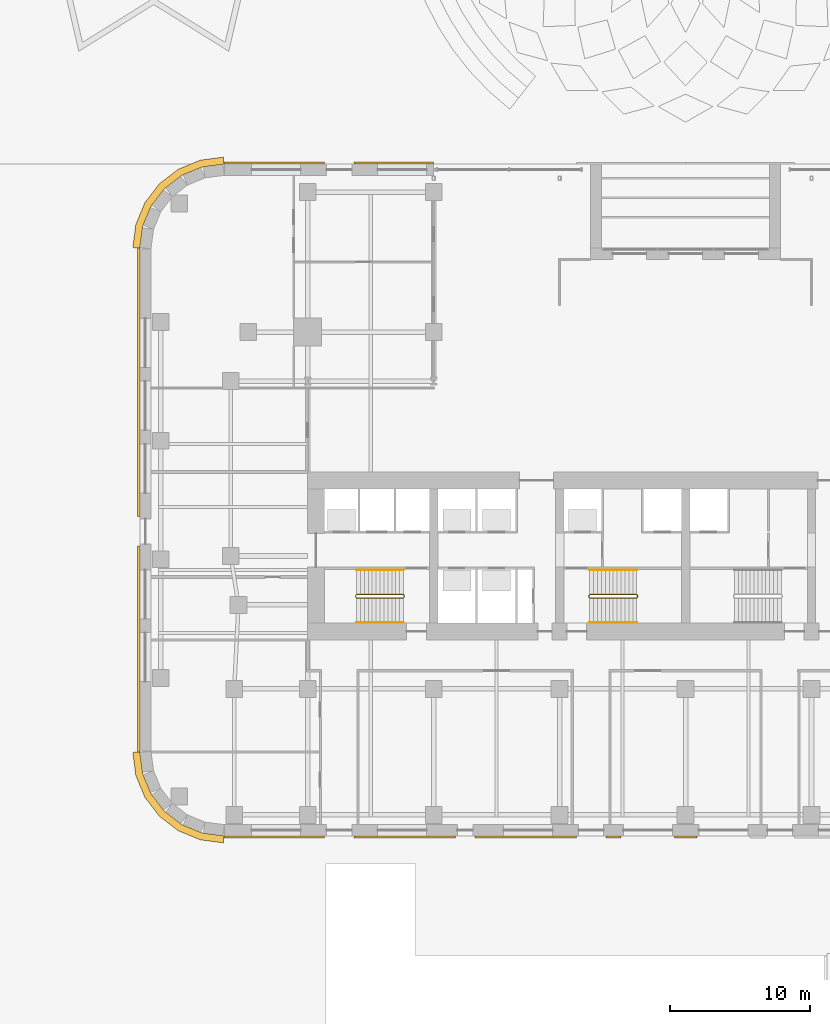
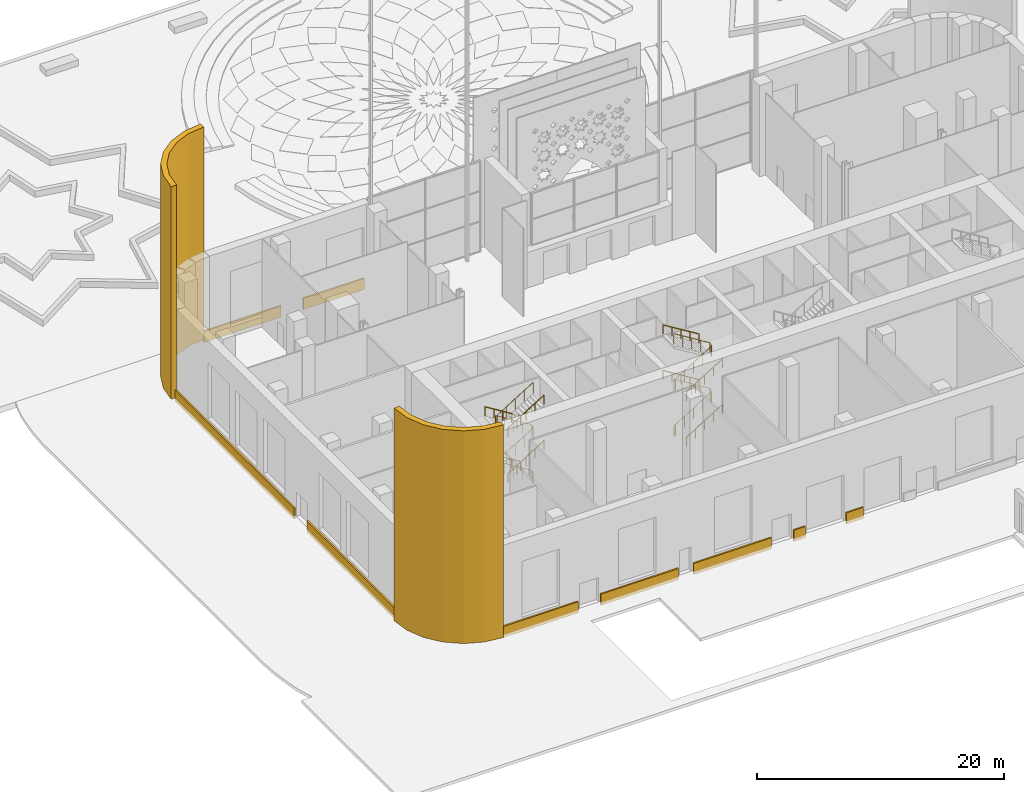
# One storey, part 16 of 23: 11 coverings, 10 railings.
"""IFC4 building model written with IfcOpenShell, lengths in metres."""

import ifcopenshell
import ifcopenshell.guid

model = None  # the IFC model being written
_history = None  # IfcOwnerHistory: only IFC2X3 demands one
_inside = {}  # id of a spatial element -> (the spatial element, [elements in it])
_under = {}  # id of a project, library or spatial element -> (it, [spatial elements below it])
_declared = {}  # id of a project -> (the project, [libraries it declares])
_typed = {}  # id of a type object -> (the type object, [elements of that type])
_made_of = {}  # id of a material, layer set ... -> (it, [elements and type objects made of it])


def new_model(schema):
    """Start an empty IFC model of exactly this schema.

    Asked for "IFC4X3", IfcOpenShell would pick the latest addendum, in which some entities
    have other attributes; the version numbers below select the first issue.
    IFC2X3 requires an IfcOwnerHistory on every rooted entity: one is made here for all.
    """
    global model, _history
    if schema == "IFC4X3":
        model = ifcopenshell.file(schema_version=(4, 3, 0, 0))
    else:
        model = ifcopenshell.file(schema=schema)
    _inside.clear()
    _under.clear()
    _declared.clear()
    _typed.clear()
    _made_of.clear()
    _history = None
    if model.schema == "IFC2X3":
        org = make("IfcOrganization", Name="unknown")
        user = make(
            "IfcPersonAndOrganization",
            ThePerson=make("IfcPerson", FamilyName="unknown"),
            TheOrganization=org,
        )
        app = make(
            "IfcApplication",
            ApplicationDeveloper=org,
            Version="unknown",
            ApplicationFullName="unknown",
            ApplicationIdentifier="unknown",
        )
        _history = make(
            "IfcOwnerHistory",
            OwningUser=user,
            OwningApplication=app,
            ChangeAction="ADDED",
            CreationDate=0,
        )
    return model


def make(cls, **values):
    """One entity of the class cls with the attributes given. An attribute that is None is left unset."""
    return model.create_entity(
        cls, **{name: value for name, value in values.items() if value is not None}
    )


def rooted(cls, **values):
    """An entity with a GlobalId (a new one), such as an element, a storey or a relation."""
    return make(cls, GlobalId=ifcopenshell.guid.new(), OwnerHistory=_history, **values)


def si_unit(unit_type, name, prefix=None):
    """IfcSIUnit, for example si_unit("LENGTHUNIT", "METRE", prefix="MILLI")."""
    return make("IfcSIUnit", UnitType=unit_type, Prefix=prefix, Name=name)


def assignment(units):
    """IfcUnitAssignment: the units of a project."""
    return None if units is None else make("IfcUnitAssignment", Units=units)


def point(xyz):
    """IfcCartesianPoint."""
    return None if xyz is None else make("IfcCartesianPoint", Coordinates=xyz)


def direction(xyz):
    """IfcDirection."""
    return None if xyz is None else make("IfcDirection", DirectionRatios=xyz)


def frame(location, z_axis=None, x_axis=None):
    """IfcAxis2Placement3D, a coordinate frame: its origin and axes. An axis left out is left unset."""
    return make(
        "IfcAxis2Placement3D",
        Location=point(location),
        Axis=direction(z_axis),
        RefDirection=direction(x_axis),
    )


def frame_2d(location, x_axis=None):
    """IfcAxis2Placement2D, a coordinate frame in the plane: its origin and x axis."""
    return make(
        "IfcAxis2Placement2D", Location=point(location), RefDirection=direction(x_axis)
    )


def origin():
    """The frame at (0, 0, 0) with its axes left unset."""
    return frame((0.0, 0.0, 0.0))


def origin_2d():
    """The frame at (0, 0) in the plane with its x axis left unset."""
    return frame_2d((0.0, 0.0))


def place(relative_to, where):
    """IfcLocalPlacement: puts the frame where relative to a parent placement (None: the world)."""
    return make(
        "IfcLocalPlacement", PlacementRelTo=relative_to, RelativePlacement=where
    )


def context(
    kind, dimensions, precision=None, world=None, true_north=None, identifier=None
):
    """IfcGeometricRepresentationContext, for example the 3D "Model" context."""
    return make(
        "IfcGeometricRepresentationContext",
        ContextIdentifier=identifier,
        ContextType=kind,
        CoordinateSpaceDimension=dimensions,
        Precision=precision,
        WorldCoordinateSystem=world,
        TrueNorth=true_north,
    )


def subcontext(parent, identifier, kind, view, scale=None):
    """IfcGeometricRepresentationSubContext, for example "Body" below "Model"."""
    return make(
        "IfcGeometricRepresentationSubContext",
        ContextIdentifier=identifier,
        ContextType=kind,
        ParentContext=parent,
        TargetScale=scale,
        TargetView=view,
    )


def project(units=None, contexts=None):
    """IfcProject with its units and contexts."""
    return rooted(
        "IfcProject",
        Name="project",
        RepresentationContexts=contexts,
        UnitsInContext=assignment(units),
    )


def spatial(cls, under=None, at=None, **own):
    """A site, building, storey or space (cls), placed at a placement, below another one or the project."""
    s = rooted(cls, ObjectPlacement=at, **own)
    if under is not None:
        _under.setdefault(under.id(), (under, []))[1].append(s)
    return s


def polyline(points):
    """IfcPolyline through the points."""
    return make("IfcPolyline", Points=[point(p) for p in points])


def profile(cls, at=None, kind="AREA", **sizes):
    """A parametric profile (cls). Its sizes go by their IFC names, for example OverallWidth=200.0."""
    return make(cls, ProfileType=kind, Position=at, **sizes)


def circle(**sizes):
    """IfcCircleProfileDef."""
    return profile("IfcCircleProfileDef", **sizes)


def outline(outer, holes=None, kind="AREA"):
    """IfcArbitraryClosedProfileDef: a profile drawn as a closed curve; with holes, ...WithVoids."""
    if holes is None:
        return make("IfcArbitraryClosedProfileDef", ProfileType=kind, OuterCurve=outer)
    return make(
        "IfcArbitraryProfileDefWithVoids",
        ProfileType=kind,
        OuterCurve=outer,
        InnerCurves=holes,
    )


def extrude(swept, where, along, depth):
    """IfcExtrudedAreaSolid: the profile swept, set in the frame where, extruded along a direction by depth."""
    return make(
        "IfcExtrudedAreaSolid",
        SweptArea=swept,
        Position=where,
        ExtrudedDirection=direction(along),
        Depth=depth,
    )


def shape(context_of_items, identifier, shape_type, items):
    """IfcShapeRepresentation: the items that make up one representation, for example the "Body"."""
    return make(
        "IfcShapeRepresentation",
        ContextOfItems=context_of_items,
        RepresentationIdentifier=identifier,
        RepresentationType=shape_type,
        Items=items,
    )


def material(Name=None, Category=None):
    """IfcMaterial."""
    return make("IfcMaterial", Name=Name, Category=Category)


def layer(
    of_material, thickness, ventilated=None, Name=None, Category=None, Priority=None
):
    """IfcMaterialLayer: one layer of a wall or slab, of a material (None: an air gap)."""
    return make(
        "IfcMaterialLayer",
        Material=of_material,
        LayerThickness=thickness,
        IsVentilated=ventilated,
        Name=Name,
        Category=Category,
        Priority=Priority,
    )


def layer_set(layers, Name=None):
    """IfcMaterialLayerSet."""
    return make("IfcMaterialLayerSet", MaterialLayers=layers, LayerSetName=Name)


def made_of(thing, what):
    """Note that an element or type object is made of a material, layer set ...; save() writes the relation."""
    if what is not None:
        _made_of.setdefault(what.id(), (what, []))[1].append(thing)
    return thing


def type_object(cls, material=None, **own):
    """A type object (cls), such as IfcWallType, which elements share."""
    return made_of(rooted(cls, **own), material)


def element(
    cls,
    number,
    at=None,
    inside=None,
    cuts=None,
    type_object=None,
    material=None,
    context=None,
    identifier="Body",
    shape_type=None,
    held_by="IfcProductDefinitionShape",
    body=None,
    shapes=None,
    **own,
):
    """One element of the class cls, such as IfcWall. Its Tag is "e" and its number.

    at: its placement. inside: the storey or other place that contains it. cuts: it is an
    opening in that element (IfcRelVoidsElement). A single representation is given by context,
    identifier, shape_type and body (its items); several are given by shapes. held_by: the class
    of the entity that holds the representations. save() writes the other relations.
    """
    e = rooted(cls, Tag="e%d" % number, ObjectPlacement=at, **own)
    if body is not None:
        shapes = [shape(context, identifier, shape_type, body)]
    if shapes is not None:
        e.Representation = make(held_by, Representations=shapes)
    if inside is not None:
        _inside.setdefault(inside.id(), (inside, []))[1].append(e)
    if cuts is not None:
        rooted(
            "IfcRelVoidsElement", RelatingBuildingElement=cuts, RelatedOpeningElement=e
        )
    if type_object is not None:
        _typed.setdefault(type_object.id(), (type_object, []))[1].append(e)
    return made_of(e, material)


def aggregate(whole, parts):
    """IfcRelAggregates: a whole, such as a stair, and the parts it consists of."""
    return rooted("IfcRelAggregates", RelatingObject=whole, RelatedObjects=parts)


def save(model, path):
    """Write the relations noted so far, then the file.

    IfcRelAggregates (storeys below a building ...), IfcRelContainedInSpatialStructure (elements
    in a storey), IfcRelDefinesByType, IfcRelAssociatesMaterial and IfcRelDeclares: one each for
    every whole, place, type object, material and project.
    """
    for whole, parts in _under.values():
        aggregate(whole, parts)
    for where, things in _inside.values():
        rooted(
            "IfcRelContainedInSpatialStructure",
            RelatedElements=things,
            RelatingStructure=where,
        )
    for kind, things in _typed.values():
        rooted("IfcRelDefinesByType", RelatedObjects=things, RelatingType=kind)
    for what, things in _made_of.values():
        rooted("IfcRelAssociatesMaterial", RelatedObjects=things, RelatingMaterial=what)
    for by, libraries in _declared.values():
        rooted("IfcRelDeclares", RelatingContext=by, RelatedDefinitions=libraries)
    model.write(path)


model = new_model("IFC4")

# Units and contexts
model_context = context("Model", 3, precision=1e-05, world=origin(), true_north=direction((0.0, 1.0)))
body_context = subcontext(model_context, "Body", "Model", "MODEL_VIEW")
ifc_project = project(units=[si_unit("LENGTHUNIT", "METRE"), si_unit("AREAUNIT", "SQUARE_METRE"), si_unit("VOLUMEUNIT", "CUBIC_METRE"), si_unit("PLANEANGLEUNIT", "RADIAN"), si_unit("MASSUNIT", "GRAM", prefix="KILO")], contexts=[model_context])

# Site, building, storey
site_placement = place(None, origin())
site = spatial("IfcSite", under=ifc_project, at=site_placement, CompositionType="ELEMENT")
building_placement = place(site_placement, origin())
building = spatial("IfcBuilding", under=site, at=building_placement, Name="Zellij Exchange Tower", CompositionType="ELEMENT")
storey_placement = place(building_placement, origin())
storey = spatial("IfcBuildingStorey", under=building, at=storey_placement, Name="L00", CompositionType="ELEMENT", Elevation=0.0)

# Railings
ifc_material_1 = material(Name="Stainless steel", Category="steel")
railing_type_1 = type_object("IfcRailingType", Name="CORE-RG stair guard", PredefinedType="GUARDRAIL", material=ifc_material_1)
railing_1_placement = place(storey_placement, frame((-20.10009765625, -10.800048828125, 0.0)))
element("IfcRailing", 1, at=railing_1_placement, inside=storey, type_object=railing_type_1, Name="ST1 stair guard L00", PredefinedType="GUARDRAIL", context=body_context, shape_type="SweptSolid", body=[
    extrude(circle(Radius=0.02392578125, at=origin_2d()), frame((0.0, 0.0, 1.076171875), z_axis=(0.0, -1.0, 0.0), x_axis=(1.0, 0.0, 0.0)), (0.0, 0.0, 1.0), 0.14990234375),
    extrude(circle(Radius=0.02392578125, at=origin_2d()), frame((0.0, -0.14990234375, 1.076171875), z_axis=(-0.185068141132, 0.742994154839, 0.643202510111), x_axis=(-0.970351222016, -0.241699205484, 0.0)), (0.0, 0.0, 1.0), 0.26904296875),
    extrude(circle(Radius=0.02392578125, at=origin_2d()), frame((-0.0498046875, 0.050048828125, 1.2490234375), z_axis=(-0.850623216509, 0.0, 0.525775754039), x_axis=(0.0, -1.0, 0.0)), (0.0, 0.0, 1.0), 3.9501953125),
    extrude(circle(Radius=0.02392578125, at=origin_2d()), frame((-3.409912109375, 0.050048828125, 3.326171875), z_axis=(-0.707106781187, -0.707106781187, 0.0), x_axis=(0.707106781187, -0.707106781187, 0.0)), (0.0, 0.0, 1.0), 0.07080078125),
    extrude(circle(Radius=0.02392578125, at=origin_2d()), frame((-3.4599609375, 0.0, 3.326171875), z_axis=(0.0, -1.0, 0.0), x_axis=(1.0, 0.0, 0.0)), (0.0, 0.0, 1.0), 0.14990234375),
    extrude(circle(Radius=0.02392578125, at=origin_2d()), frame((-3.4599609375, -0.14990234375, 3.326171875), z_axis=(0.267629722418, -0.267629722418, 0.925607186314), x_axis=(0.707106781187, 0.707106781187, 0.0)), (0.0, 0.0, 1.0), 0.18701171875),
    extrude(circle(Radius=0.02392578125, at=origin_2d()), frame((-3.409912109375, -0.199951171875, 3.4990234375), z_axis=(0.850623216509, 0.0, 0.525775754039), x_axis=(0.0, 1.0, 0.0)), (0.0, 0.0, 1.0), 3.9501953125),
    extrude(circle(Radius=0.02392578125, at=origin_2d()), frame((-0.0498046875, -0.199951171875, 5.576171875), z_axis=(0.241699205484, 0.970351222016, 0.0), x_axis=(-0.970351222016, 0.241699205484, 0.0)), (0.0, 0.0, 1.0), 0.2060546875),
    extrude(circle(Radius=0.02392578125, at=origin_2d()), frame((0.0, 0.0, 5.576171875), z_axis=(0.0, -1.0, 0.0), x_axis=(1.0, 0.0, 0.0)), (0.0, 0.0, 1.0), 0.14990234375),
    extrude(circle(Radius=0.02392578125, at=origin_2d()), frame((0.0, -0.14990234375, 5.576171875), z_axis=(-0.185068141132, 0.742994154839, 0.643202510111), x_axis=(-0.970351222016, -0.241699205484, 0.0)), (0.0, 0.0, 1.0), 0.26904296875),
    extrude(circle(Radius=0.02392578125, at=origin_2d()), frame((-0.0498046875, 0.050048828125, 5.7490234375), z_axis=(-0.850623216509, 0.0, 0.525775754039), x_axis=(0.0, -1.0, 0.0)), (0.0, 0.0, 1.0), 3.9501953125),
    extrude(circle(Radius=0.02392578125, at=origin_2d()), frame((-3.409912109375, 0.050048828125, 7.826171875), z_axis=(-0.707106781187, -0.707106781187, 0.0), x_axis=(0.707106781187, -0.707106781187, 0.0)), (0.0, 0.0, 1.0), 0.07080078125),
    extrude(circle(Radius=0.02392578125, at=origin_2d()), frame((-3.4599609375, 0.0, 7.826171875), z_axis=(0.0, -1.0, 0.0), x_axis=(1.0, 0.0, 0.0)), (0.0, 0.0, 1.0), 0.14990234375),
    extrude(circle(Radius=0.02392578125, at=origin_2d()), frame((-3.4599609375, -0.14990234375, 7.826171875), z_axis=(0.267629722418, -0.267629722418, 0.925607186314), x_axis=(0.707106781187, 0.707106781187, 0.0)), (0.0, 0.0, 1.0), 0.18701171875),
    extrude(circle(Radius=0.02392578125, at=origin_2d()), frame((-3.409912109375, -0.199951171875, 7.9990234375), z_axis=(0.850623216509, 0.0, 0.525775754039), x_axis=(0.0, 1.0, 0.0)), (0.0, 0.0, 1.0), 3.9501953125),
    extrude(circle(Radius=0.02099609375, at=origin_2d()), origin(), (0.0, 0.0, 1.0), 1.052001953125),
    extrude(circle(Radius=0.02099609375, at=origin_2d()), frame((0.0, -0.14990234375, 0.0)), (0.0, 0.0, 1.0), 1.052001953125),
    extrude(circle(Radius=0.02099609375, at=origin_2d()), frame((-0.0498046875, 0.050048828125, 0.173095703125)), (0.0, 0.0, 1.0), 1.052001953125),
    extrude(circle(Radius=0.02099609375, at=origin_2d()), frame((-0.889892578125, 0.050048828125, 0.6923828125)), (0.0, 0.0, 1.0), 1.052001953125),
    extrude(circle(Radius=0.02099609375, at=origin_2d()), frame((-1.72998046875, 0.050048828125, 1.21142578125)), (0.0, 0.0, 1.0), 1.052001953125),
    extrude(circle(Radius=0.02099609375, at=origin_2d()), frame((-2.56982421875, 0.050048828125, 1.730712890625)), (0.0, 0.0, 1.0), 1.052001953125),
    extrude(circle(Radius=0.02099609375, at=origin_2d()), frame((-3.409912109375, 0.050048828125, 2.25)), (0.0, 0.0, 1.0), 1.052001953125),
    extrude(circle(Radius=0.02099609375, at=origin_2d()), frame((-3.4599609375, 0.0, 2.25)), (0.0, 0.0, 1.0), 1.052001953125),
    extrude(circle(Radius=0.02099609375, at=origin_2d()), frame((-3.4599609375, -0.14990234375, 2.25)), (0.0, 0.0, 1.0), 1.052001953125),
    extrude(circle(Radius=0.02099609375, at=origin_2d()), frame((-3.409912109375, -0.199951171875, 2.423095703125)), (0.0, 0.0, 1.0), 1.052001953125),
    extrude(circle(Radius=0.02099609375, at=origin_2d()), frame((-2.56982421875, -0.199951171875, 2.9423828125)), (0.0, 0.0, 1.0), 1.052001953125),
    extrude(circle(Radius=0.02099609375, at=origin_2d()), frame((-1.72998046875, -0.199951171875, 3.46142578125)), (0.0, 0.0, 1.0), 1.052001953125),
    extrude(circle(Radius=0.02099609375, at=origin_2d()), frame((-0.889892578125, -0.199951171875, 3.980712890625)), (0.0, 0.0, 1.0), 1.052001953125),
    extrude(circle(Radius=0.02099609375, at=origin_2d()), frame((-0.0498046875, -0.199951171875, 4.5)), (0.0, 0.0, 1.0), 1.052001953125),
    extrude(circle(Radius=0.02099609375, at=origin_2d()), frame((0.0, 0.0, 4.5)), (0.0, 0.0, 1.0), 1.052001953125),
    extrude(circle(Radius=0.02099609375, at=origin_2d()), frame((0.0, -0.14990234375, 4.5)), (0.0, 0.0, 1.0), 1.052001953125),
    extrude(circle(Radius=0.02099609375, at=origin_2d()), frame((-0.0498046875, 0.050048828125, 4.673095703125)), (0.0, 0.0, 1.0), 1.052001953125),
    extrude(circle(Radius=0.02099609375, at=origin_2d()), frame((-0.889892578125, 0.050048828125, 5.1923828125)), (0.0, 0.0, 1.0), 1.052001953125),
    extrude(circle(Radius=0.02099609375, at=origin_2d()), frame((-1.72998046875, 0.050048828125, 5.71142578125)), (0.0, 0.0, 1.0), 1.052001953125),
    extrude(circle(Radius=0.02099609375, at=origin_2d()), frame((-2.56982421875, 0.050048828125, 6.230712890625)), (0.0, 0.0, 1.0), 1.052001953125),
    extrude(circle(Radius=0.02099609375, at=origin_2d()), frame((-3.409912109375, 0.050048828125, 6.75)), (0.0, 0.0, 1.0), 1.052001953125),
    extrude(circle(Radius=0.02099609375, at=origin_2d()), frame((-3.4599609375, 0.0, 6.75)), (0.0, 0.0, 1.0), 1.052001953125),
    extrude(circle(Radius=0.02099609375, at=origin_2d()), frame((-3.4599609375, -0.14990234375, 6.75)), (0.0, 0.0, 1.0), 1.052001953125),
    extrude(circle(Radius=0.02099609375, at=origin_2d()), frame((-3.409912109375, -0.199951171875, 6.923095703125)), (0.0, 0.0, 1.0), 1.052001953125),
    extrude(circle(Radius=0.02099609375, at=origin_2d()), frame((-2.56982421875, -0.199951171875, 7.4423828125)), (0.0, 0.0, 1.0), 1.052001953125),
    extrude(circle(Radius=0.02099609375, at=origin_2d()), frame((-1.72998046875, -0.199951171875, 7.96142578125)), (0.0, 0.0, 1.0), 1.052001953125),
    extrude(circle(Radius=0.02099609375, at=origin_2d()), frame((-0.889892578125, -0.199951171875, 8.480712890625)), (0.0, 0.0, 1.0), 1.052001953125),
    extrude(circle(Radius=0.02099609375, at=origin_2d()), frame((-0.0498046875, -0.199951171875, 9.0)), (0.0, 0.0, 1.0), 1.052001953125),
])
railing_2_placement = place(storey_placement, frame((-6.89990234375, -10.949951171875, 0.0)))
element("IfcRailing", 2, at=railing_2_placement, inside=storey, type_object=railing_type_1, Name="ST2 stair guard L00", PredefinedType="GUARDRAIL", context=body_context, shape_type="SweptSolid", body=[
    extrude(circle(Radius=0.02392578125, at=origin_2d()), frame((0.0, 0.0, 1.076171875), z_axis=(0.0, 1.0, 0.0), x_axis=(-1.0, 0.0, 0.0)), (0.0, 0.0, 1.0), 0.14990234375),
    extrude(circle(Radius=0.02392578125, at=origin_2d()), frame((0.0, 0.14990234375, 1.076171875), z_axis=(0.185068141132, -0.742994154839, 0.643202510111), x_axis=(0.970351222016, 0.241699205484, 0.0)), (0.0, 0.0, 1.0), 0.26904296875),
    extrude(circle(Radius=0.02392578125, at=origin_2d()), frame((0.0498046875, -0.050048828125, 1.2490234375), z_axis=(0.850623216509, 0.0, 0.525775754039), x_axis=(0.0, 1.0, 0.0)), (0.0, 0.0, 1.0), 3.9501953125),
    extrude(circle(Radius=0.02392578125, at=origin_2d()), frame((3.409912109375, -0.050048828125, 3.326171875), z_axis=(0.707106781187, 0.707106781187, 0.0), x_axis=(-0.707106781187, 0.707106781187, 0.0)), (0.0, 0.0, 1.0), 0.07080078125),
    extrude(circle(Radius=0.02392578125, at=origin_2d()), frame((3.4599609375, 0.0, 3.326171875), z_axis=(0.0, 1.0, 0.0), x_axis=(-1.0, 0.0, 0.0)), (0.0, 0.0, 1.0), 0.14990234375),
    extrude(circle(Radius=0.02392578125, at=origin_2d()), frame((3.4599609375, 0.14990234375, 3.326171875), z_axis=(-0.267629722418, 0.267629722418, 0.925607186314), x_axis=(-0.707106781187, -0.707106781187, 0.0)), (0.0, 0.0, 1.0), 0.18701171875),
    extrude(circle(Radius=0.02392578125, at=origin_2d()), frame((3.409912109375, 0.199951171875, 3.4990234375), z_axis=(-0.850623216509, 0.0, 0.525775754039), x_axis=(0.0, -1.0, 0.0)), (0.0, 0.0, 1.0), 3.9501953125),
    extrude(circle(Radius=0.02392578125, at=origin_2d()), frame((0.0498046875, 0.199951171875, 5.576171875), z_axis=(-0.241699205484, -0.970351222016, 0.0), x_axis=(0.970351222016, -0.241699205484, 0.0)), (0.0, 0.0, 1.0), 0.2060546875),
    extrude(circle(Radius=0.02392578125, at=origin_2d()), frame((0.0, 0.0, 5.576171875), z_axis=(0.0, 1.0, 0.0), x_axis=(-1.0, 0.0, 0.0)), (0.0, 0.0, 1.0), 0.14990234375),
    extrude(circle(Radius=0.02392578125, at=origin_2d()), frame((0.0, 0.14990234375, 5.576171875), z_axis=(0.185068141132, -0.742994154839, 0.643202510111), x_axis=(0.970351222016, 0.241699205484, 0.0)), (0.0, 0.0, 1.0), 0.26904296875),
    extrude(circle(Radius=0.02392578125, at=origin_2d()), frame((0.0498046875, -0.050048828125, 5.7490234375), z_axis=(0.850623216509, 0.0, 0.525775754039), x_axis=(0.0, 1.0, 0.0)), (0.0, 0.0, 1.0), 3.9501953125),
    extrude(circle(Radius=0.02392578125, at=origin_2d()), frame((3.409912109375, -0.050048828125, 7.826171875), z_axis=(0.707106781187, 0.707106781187, 0.0), x_axis=(-0.707106781187, 0.707106781187, 0.0)), (0.0, 0.0, 1.0), 0.07080078125),
    extrude(circle(Radius=0.02392578125, at=origin_2d()), frame((3.4599609375, 0.0, 7.826171875), z_axis=(0.0, 1.0, 0.0), x_axis=(-1.0, 0.0, 0.0)), (0.0, 0.0, 1.0), 0.14990234375),
    extrude(circle(Radius=0.02392578125, at=origin_2d()), frame((3.4599609375, 0.14990234375, 7.826171875), z_axis=(-0.267629722418, 0.267629722418, 0.925607186314), x_axis=(-0.707106781187, -0.707106781187, 0.0)), (0.0, 0.0, 1.0), 0.18701171875),
    extrude(circle(Radius=0.02392578125, at=origin_2d()), frame((3.409912109375, 0.199951171875, 7.9990234375), z_axis=(-0.850623216509, 0.0, 0.525775754039), x_axis=(0.0, -1.0, 0.0)), (0.0, 0.0, 1.0), 3.9501953125),
    extrude(circle(Radius=0.02099609375, at=origin_2d()), origin(), (0.0, 0.0, 1.0), 1.052001953125),
    extrude(circle(Radius=0.02099609375, at=origin_2d()), frame((0.0, 0.14990234375, 0.0)), (0.0, 0.0, 1.0), 1.052001953125),
    extrude(circle(Radius=0.02099609375, at=origin_2d()), frame((0.0498046875, -0.050048828125, 0.173095703125)), (0.0, 0.0, 1.0), 1.052001953125),
    extrude(circle(Radius=0.02099609375, at=origin_2d()), frame((0.889892578125, -0.050048828125, 0.6923828125)), (0.0, 0.0, 1.0), 1.052001953125),
    extrude(circle(Radius=0.02099609375, at=origin_2d()), frame((1.72998046875, -0.050048828125, 1.21142578125)), (0.0, 0.0, 1.0), 1.052001953125),
    extrude(circle(Radius=0.02099609375, at=origin_2d()), frame((2.56982421875, -0.050048828125, 1.730712890625)), (0.0, 0.0, 1.0), 1.052001953125),
    extrude(circle(Radius=0.02099609375, at=origin_2d()), frame((3.409912109375, -0.050048828125, 2.25)), (0.0, 0.0, 1.0), 1.052001953125),
    extrude(circle(Radius=0.02099609375, at=origin_2d()), frame((3.4599609375, 0.0, 2.25)), (0.0, 0.0, 1.0), 1.052001953125),
    extrude(circle(Radius=0.02099609375, at=origin_2d()), frame((3.4599609375, 0.14990234375, 2.25)), (0.0, 0.0, 1.0), 1.052001953125),
    extrude(circle(Radius=0.02099609375, at=origin_2d()), frame((3.409912109375, 0.199951171875, 2.423095703125)), (0.0, 0.0, 1.0), 1.052001953125),
    extrude(circle(Radius=0.02099609375, at=origin_2d()), frame((2.56982421875, 0.199951171875, 2.9423828125)), (0.0, 0.0, 1.0), 1.052001953125),
    extrude(circle(Radius=0.02099609375, at=origin_2d()), frame((1.72998046875, 0.199951171875, 3.46142578125)), (0.0, 0.0, 1.0), 1.052001953125),
    extrude(circle(Radius=0.02099609375, at=origin_2d()), frame((0.889892578125, 0.199951171875, 3.980712890625)), (0.0, 0.0, 1.0), 1.052001953125),
    extrude(circle(Radius=0.02099609375, at=origin_2d()), frame((0.0498046875, 0.199951171875, 4.5)), (0.0, 0.0, 1.0), 1.052001953125),
    extrude(circle(Radius=0.02099609375, at=origin_2d()), frame((0.0, 0.0, 4.5)), (0.0, 0.0, 1.0), 1.052001953125),
    extrude(circle(Radius=0.02099609375, at=origin_2d()), frame((0.0, 0.14990234375, 4.5)), (0.0, 0.0, 1.0), 1.052001953125),
    extrude(circle(Radius=0.02099609375, at=origin_2d()), frame((0.0498046875, -0.050048828125, 4.673095703125)), (0.0, 0.0, 1.0), 1.052001953125),
    extrude(circle(Radius=0.02099609375, at=origin_2d()), frame((0.889892578125, -0.050048828125, 5.1923828125)), (0.0, 0.0, 1.0), 1.052001953125),
    extrude(circle(Radius=0.02099609375, at=origin_2d()), frame((1.72998046875, -0.050048828125, 5.71142578125)), (0.0, 0.0, 1.0), 1.052001953125),
    extrude(circle(Radius=0.02099609375, at=origin_2d()), frame((2.56982421875, -0.050048828125, 6.230712890625)), (0.0, 0.0, 1.0), 1.052001953125),
    extrude(circle(Radius=0.02099609375, at=origin_2d()), frame((3.409912109375, -0.050048828125, 6.75)), (0.0, 0.0, 1.0), 1.052001953125),
    extrude(circle(Radius=0.02099609375, at=origin_2d()), frame((3.4599609375, 0.0, 6.75)), (0.0, 0.0, 1.0), 1.052001953125),
    extrude(circle(Radius=0.02099609375, at=origin_2d()), frame((3.4599609375, 0.14990234375, 6.75)), (0.0, 0.0, 1.0), 1.052001953125),
    extrude(circle(Radius=0.02099609375, at=origin_2d()), frame((3.409912109375, 0.199951171875, 6.923095703125)), (0.0, 0.0, 1.0), 1.052001953125),
    extrude(circle(Radius=0.02099609375, at=origin_2d()), frame((2.56982421875, 0.199951171875, 7.4423828125)), (0.0, 0.0, 1.0), 1.052001953125),
    extrude(circle(Radius=0.02099609375, at=origin_2d()), frame((1.72998046875, 0.199951171875, 7.96142578125)), (0.0, 0.0, 1.0), 1.052001953125),
    extrude(circle(Radius=0.02099609375, at=origin_2d()), frame((0.889892578125, 0.199951171875, 8.480712890625)), (0.0, 0.0, 1.0), 1.052001953125),
    extrude(circle(Radius=0.02099609375, at=origin_2d()), frame((0.0498046875, 0.199951171875, 9.0)), (0.0, 0.0, 1.0), 1.052001953125),
])
railing_type_2 = type_object("IfcRailingType", Name="CORE-RH stair handrail", PredefinedType="HANDRAIL", material=ifc_material_1)
railing_3_placement = place(storey_placement, frame((-20.14990234375, -9.0, 0.173095703125)))
element("IfcRailing", 3, at=railing_3_placement, inside=storey, type_object=railing_type_2, Name="ST1 stair handrail L00", PredefinedType="HANDRAIL", context=body_context, shape_type="SweptSolid", body=[
    extrude(circle(Radius=0.02392578125, at=origin_2d()), frame((0.0, 0.0, 0.8759765625), z_axis=(-0.850623216509, 0.0, 0.525775754039), x_axis=(0.0, -1.0, 0.0)), (0.0, 0.0, 1.0), 3.9501953125),
    extrude(circle(Radius=0.02099609375, at=origin_2d()), origin(), (0.0, 0.0, 1.0), 0.851806640625),
    extrude(circle(Radius=0.02099609375, at=origin_2d()), frame((-0.840087890625, 0.0, 0.519287109375)), (0.0, 0.0, 1.0), 0.851806640625),
    extrude(circle(Radius=0.02099609375, at=origin_2d()), frame((-1.68017578125, 0.0, 1.03857421875)), (0.0, 0.0, 1.0), 0.851806640625),
    extrude(circle(Radius=0.02099609375, at=origin_2d()), frame((-2.52001953125, 0.0, 1.5576171875)), (0.0, 0.0, 1.0), 0.851806640625),
    extrude(circle(Radius=0.02099609375, at=origin_2d()), frame((-3.360107421875, 0.0, 2.076904296875)), (0.0, 0.0, 1.0), 0.851806640625),
])
railing_4_placement = place(storey_placement, frame((-23.510009765625, -12.75, 2.423095703125)))
element("IfcRailing", 4, at=railing_4_placement, inside=storey, type_object=railing_type_2, Name="ST1 stair handrail L00", PredefinedType="HANDRAIL", context=body_context, shape_type="SweptSolid", body=[
    extrude(circle(Radius=0.02392578125, at=origin_2d()), frame((0.0, 0.0, 0.8759765625), z_axis=(0.850623216509, 0.0, 0.525775754039), x_axis=(0.0, 1.0, 0.0)), (0.0, 0.0, 1.0), 3.9501953125),
    extrude(circle(Radius=0.02099609375, at=origin_2d()), origin(), (0.0, 0.0, 1.0), 0.851806640625),
    extrude(circle(Radius=0.02099609375, at=origin_2d()), frame((0.840087890625, 0.0, 0.519287109375)), (0.0, 0.0, 1.0), 0.851806640625),
    extrude(circle(Radius=0.02099609375, at=origin_2d()), frame((1.68017578125, 0.0, 1.03857421875)), (0.0, 0.0, 1.0), 0.851806640625),
    extrude(circle(Radius=0.02099609375, at=origin_2d()), frame((2.52001953125, 0.0, 1.5576171875)), (0.0, 0.0, 1.0), 0.851806640625),
    extrude(circle(Radius=0.02099609375, at=origin_2d()), frame((3.360107421875, 0.0, 2.076904296875)), (0.0, 0.0, 1.0), 0.851806640625),
])
railing_5_placement = place(storey_placement, frame((-20.14990234375, -9.0, 4.673095703125)))
element("IfcRailing", 5, at=railing_5_placement, inside=storey, type_object=railing_type_2, Name="ST1 stair handrail L00", PredefinedType="HANDRAIL", context=body_context, shape_type="SweptSolid", body=[
    extrude(circle(Radius=0.02392578125, at=origin_2d()), frame((0.0, 0.0, 0.8759765625), z_axis=(-0.850623216509, 0.0, 0.525775754039), x_axis=(0.0, -1.0, 0.0)), (0.0, 0.0, 1.0), 3.9501953125),
    extrude(circle(Radius=0.02099609375, at=origin_2d()), origin(), (0.0, 0.0, 1.0), 0.851806640625),
    extrude(circle(Radius=0.02099609375, at=origin_2d()), frame((-0.840087890625, 0.0, 0.519287109375)), (0.0, 0.0, 1.0), 0.851806640625),
    extrude(circle(Radius=0.02099609375, at=origin_2d()), frame((-1.68017578125, 0.0, 1.03857421875)), (0.0, 0.0, 1.0), 0.851806640625),
    extrude(circle(Radius=0.02099609375, at=origin_2d()), frame((-2.52001953125, 0.0, 1.5576171875)), (0.0, 0.0, 1.0), 0.851806640625),
    extrude(circle(Radius=0.02099609375, at=origin_2d()), frame((-3.360107421875, 0.0, 2.076904296875)), (0.0, 0.0, 1.0), 0.851806640625),
])
for number, where, name in (
    (6, (-23.510009765625, -12.75, 6.923095703125), "ST1 stair handrail L00"),
    (7, (-6.85009765625, -12.75, 0.173095703125), "ST2 stair handrail L00"),
):
    element("IfcRailing", number, at=place(storey_placement, frame(where)), inside=storey, type_object=railing_type_2, Name=name, PredefinedType="HANDRAIL", context=body_context, shape_type="SweptSolid", body=[
        extrude(circle(Radius=0.02392578125, at=origin_2d()), frame((0.0, 0.0, 0.8759765625), z_axis=(0.850623216509, 0.0, 0.525775754039), x_axis=(0.0, 1.0, 0.0)), (0.0, 0.0, 1.0), 3.9501953125),
        extrude(circle(Radius=0.02099609375, at=origin_2d()), origin(), (0.0, 0.0, 1.0), 0.851806640625),
        extrude(circle(Radius=0.02099609375, at=origin_2d()), frame((0.840087890625, 0.0, 0.519287109375)), (0.0, 0.0, 1.0), 0.851806640625),
        extrude(circle(Radius=0.02099609375, at=origin_2d()), frame((1.68017578125, 0.0, 1.03857421875)), (0.0, 0.0, 1.0), 0.851806640625),
        extrude(circle(Radius=0.02099609375, at=origin_2d()), frame((2.52001953125, 0.0, 1.5576171875)), (0.0, 0.0, 1.0), 0.851806640625),
        extrude(circle(Radius=0.02099609375, at=origin_2d()), frame((3.360107421875, 0.0, 2.076904296875)), (0.0, 0.0, 1.0), 0.851806640625),
    ])
railing_6_placement = place(storey_placement, frame((-3.489990234375, -9.0, 2.423095703125)))
element("IfcRailing", 8, at=railing_6_placement, inside=storey, type_object=railing_type_2, Name="ST2 stair handrail L00", PredefinedType="HANDRAIL", context=body_context, shape_type="SweptSolid", body=[
    extrude(circle(Radius=0.02392578125, at=origin_2d()), frame((0.0, 0.0, 0.8759765625), z_axis=(-0.850623216509, 0.0, 0.525775754039), x_axis=(0.0, -1.0, 0.0)), (0.0, 0.0, 1.0), 3.9501953125),
    extrude(circle(Radius=0.02099609375, at=origin_2d()), origin(), (0.0, 0.0, 1.0), 0.851806640625),
    extrude(circle(Radius=0.02099609375, at=origin_2d()), frame((-0.840087890625, 0.0, 0.519287109375)), (0.0, 0.0, 1.0), 0.851806640625),
    extrude(circle(Radius=0.02099609375, at=origin_2d()), frame((-1.68017578125, 0.0, 1.03857421875)), (0.0, 0.0, 1.0), 0.851806640625),
    extrude(circle(Radius=0.02099609375, at=origin_2d()), frame((-2.52001953125, 0.0, 1.5576171875)), (0.0, 0.0, 1.0), 0.851806640625),
    extrude(circle(Radius=0.02099609375, at=origin_2d()), frame((-3.360107421875, 0.0, 2.076904296875)), (0.0, 0.0, 1.0), 0.851806640625),
])
railing_7_placement = place(storey_placement, frame((-6.85009765625, -12.75, 4.673095703125)))
element("IfcRailing", 9, at=railing_7_placement, inside=storey, type_object=railing_type_2, Name="ST2 stair handrail L00", PredefinedType="HANDRAIL", context=body_context, shape_type="SweptSolid", body=[
    extrude(circle(Radius=0.02392578125, at=origin_2d()), frame((0.0, 0.0, 0.8759765625), z_axis=(0.850623216509, 0.0, 0.525775754039), x_axis=(0.0, 1.0, 0.0)), (0.0, 0.0, 1.0), 3.9501953125),
    extrude(circle(Radius=0.02099609375, at=origin_2d()), origin(), (0.0, 0.0, 1.0), 0.851806640625),
    extrude(circle(Radius=0.02099609375, at=origin_2d()), frame((0.840087890625, 0.0, 0.519287109375)), (0.0, 0.0, 1.0), 0.851806640625),
    extrude(circle(Radius=0.02099609375, at=origin_2d()), frame((1.68017578125, 0.0, 1.03857421875)), (0.0, 0.0, 1.0), 0.851806640625),
    extrude(circle(Radius=0.02099609375, at=origin_2d()), frame((2.52001953125, 0.0, 1.5576171875)), (0.0, 0.0, 1.0), 0.851806640625),
    extrude(circle(Radius=0.02099609375, at=origin_2d()), frame((3.360107421875, 0.0, 2.076904296875)), (0.0, 0.0, 1.0), 0.851806640625),
])
railing_8_placement = place(storey_placement, frame((-3.489990234375, -9.0, 6.923095703125)))
element("IfcRailing", 10, at=railing_8_placement, inside=storey, type_object=railing_type_2, Name="ST2 stair handrail L00", PredefinedType="HANDRAIL", context=body_context, shape_type="SweptSolid", body=[
    extrude(circle(Radius=0.02392578125, at=origin_2d()), frame((0.0, 0.0, 0.8759765625), z_axis=(-0.850623216509, 0.0, 0.525775754039), x_axis=(0.0, -1.0, 0.0)), (0.0, 0.0, 1.0), 3.9501953125),
    extrude(circle(Radius=0.02099609375, at=origin_2d()), origin(), (0.0, 0.0, 1.0), 0.851806640625),
    extrude(circle(Radius=0.02099609375, at=origin_2d()), frame((-0.840087890625, 0.0, 0.519287109375)), (0.0, 0.0, 1.0), 0.851806640625),
    extrude(circle(Radius=0.02099609375, at=origin_2d()), frame((-1.68017578125, 0.0, 1.03857421875)), (0.0, 0.0, 1.0), 0.851806640625),
    extrude(circle(Radius=0.02099609375, at=origin_2d()), frame((-2.52001953125, 0.0, 1.5576171875)), (0.0, 0.0, 1.0), 0.851806640625),
    extrude(circle(Radius=0.02099609375, at=origin_2d()), frame((-3.360107421875, 0.0, 2.076904296875)), (0.0, 0.0, 1.0), 0.851806640625),
])

# Coverings
ifc_material_2 = material(Name="Limestone cladding", Category="masonry")
ifc_layer_1 = layer(ifc_material_2, 0.14990234375)
ifc_layer_set_1 = layer_set([ifc_layer_1], Name="Limestone cladding")
covering_type_1 = type_object("IfcCoveringType", Name="ENV-CV1 Stone spandrel band 150", PredefinedType="CLADDING", material=ifc_layer_set_1)
covering_1_placement = place(storey_placement, frame((0.0, 0.0, -0.300048828125)))
element("IfcCovering", 11, at=covering_1_placement, inside=storey, type_object=covering_type_1, Name="Stone spandrel band", PredefinedType="CLADDING", context=body_context, shape_type="SweptSolid", body=[
    extrude(outline(polyline([(-32.973876953125, -28.0), (-25.800048828125, -28.0), (-25.800048828125, -28.14990234375), (-32.983642578125, -28.14990234375), (-32.973876953125, -28.0)])), origin(), (0.0, 0.0, 1.0), 1.10009765625),
])
covering_2_placement = place(storey_placement, frame((0.0, 0.0, -0.300048828125)))
element("IfcCovering", 12, at=covering_2_placement, inside=storey, type_object=covering_type_1, Name="Stone spandrel band", PredefinedType="CLADDING", context=body_context, shape_type="SweptSolid", body=[
    extrude(outline(polyline([(-23.699951171875, -28.0), (-16.449951171875, -28.0), (-16.449951171875, -28.14990234375), (-23.699951171875, -28.14990234375), (-23.699951171875, -28.0)])), origin(), (0.0, 0.0, 1.0), 1.10009765625),
])
covering_3_placement = place(storey_placement, frame((0.0, 0.0, -0.300048828125)))
element("IfcCovering", 13, at=covering_3_placement, inside=storey, type_object=covering_type_1, Name="Stone spandrel band", PredefinedType="CLADDING", context=body_context, shape_type="SweptSolid", body=[
    extrude(outline(polyline([(-15.050048828125, -28.0), (-7.800048828125, -28.0), (-7.800048828125, -28.14990234375), (-15.050048828125, -28.14990234375), (-15.050048828125, -28.0)])), origin(), (0.0, 0.0, 1.0), 1.10009765625),
])
covering_4_placement = place(storey_placement, frame((0.0, 0.0, -0.300048828125)))
element("IfcCovering", 14, at=covering_4_placement, inside=storey, type_object=covering_type_1, Name="Stone spandrel band", PredefinedType="CLADDING", context=body_context, shape_type="SweptSolid", body=[
    extrude(outline(polyline([(-5.699951171875, -28.0), (-4.60009765625, -28.0), (-4.60009765625, -28.14990234375), (-5.699951171875, -28.14990234375), (-5.699951171875, -28.0)])), origin(), (0.0, 0.0, 1.0), 1.10009765625),
])
covering_5_placement = place(storey_placement, frame((0.0, 0.0, -0.300048828125)))
element("IfcCovering", 15, at=covering_5_placement, inside=storey, type_object=covering_type_1, Name="Stone spandrel band", PredefinedType="CLADDING", context=body_context, shape_type="SweptSolid", body=[
    extrude(outline(polyline([(-0.800048828125, -28.0), (0.800048828125, -28.0), (0.800048828125, -28.14990234375), (-0.800048828125, -28.14990234375), (-0.800048828125, -28.0)])), origin(), (0.0, 0.0, 1.0), 1.10009765625),
])
covering_6_placement = place(storey_placement, frame((0.0, 0.0, -0.300048828125)))
element("IfcCovering", 16, at=covering_6_placement, inside=storey, type_object=covering_type_1, Name="Stone spandrel band", PredefinedType="CLADDING", context=body_context, shape_type="SweptSolid", body=[
    extrude(outline(polyline([(-18.0, 20.0), (-23.699951171875, 20.0), (-23.699951171875, 20.14990234375), (-18.0, 20.14990234375), (-18.0, 20.0)])), origin(), (0.0, 0.0, 1.0), 1.10009765625),
])
covering_7_placement = place(storey_placement, frame((0.0, 0.0, -0.300048828125)))
element("IfcCovering", 17, at=covering_7_placement, inside=storey, type_object=covering_type_1, Name="Stone spandrel band", PredefinedType="CLADDING", context=body_context, shape_type="SweptSolid", body=[
    extrude(outline(polyline([(-25.800048828125, 20.0), (-32.973876953125, 20.0), (-32.983642578125, 20.14990234375), (-25.800048828125, 20.14990234375), (-25.800048828125, 20.0)])), origin(), (0.0, 0.0, 1.0), 1.10009765625),
])
covering_8_placement = place(storey_placement, frame((0.0, 0.0, -0.300048828125)))
element("IfcCovering", 18, at=covering_8_placement, inside=storey, type_object=covering_type_1, Name="Stone spandrel band", PredefinedType="CLADDING", context=body_context, shape_type="SweptSolid", body=[
    extrude(outline(polyline([(-39.0, 13.973876953125), (-39.0, -5.19677734375), (-39.14990234375, -5.19677734375), (-39.14990234375, 13.983642578125), (-39.0, 13.973876953125)])), origin(), (0.0, 0.0, 1.0), 1.10009765625),
])
covering_9_placement = place(storey_placement, frame((0.0, 0.0, -0.300048828125)))
element("IfcCovering", 19, at=covering_9_placement, inside=storey, type_object=covering_type_1, Name="Stone spandrel band", PredefinedType="CLADDING", context=body_context, shape_type="SweptSolid", body=[
    extrude(outline(polyline([(-39.0, -7.296630859375), (-39.0, -21.973876953125), (-39.14990234375, -21.983642578125), (-39.14990234375, -7.296630859375), (-39.0, -7.296630859375)])), origin(), (0.0, 0.0, 1.0), 1.10009765625),
])
ifc_layer_2 = layer(ifc_material_2, 0.5)
ifc_layer_set_2 = layer_set([ifc_layer_2], Name="Limestone cladding")
covering_type_2 = type_object("IfcCoveringType", Name="ENV-CV12 Stone corner pier 500", PredefinedType="CLADDING", material=ifc_layer_set_2)
covering_10_placement = place(storey_placement, origin())
element("IfcCovering", 20, at=covering_10_placement, inside=storey, type_object=covering_type_2, Name="Stone corner pier", PredefinedType="CLADDING", context=body_context, shape_type="SweptSolid", body=[
    extrude(outline(polyline([(-33.0, 20.0), (-34.552978515625, 19.795654296875), (-36.0, 19.1962890625), (-37.24267578125, 18.24267578125), (-38.1962890625, 17.0), (-38.795654296875, 15.552978515625), (-39.0, 14.0), (-39.5, 14.03271484375), (-39.28271484375, 15.683349609375), (-38.6328125, 17.252197265625), (-37.59912109375, 18.59912109375), (-36.252197265625, 19.6328125), (-34.683349609375, 20.28271484375), (-33.03271484375, 20.5), (-33.0, 20.0)])), origin(), (0.0, 0.0, 1.0), 21.0),
])
covering_11_placement = place(storey_placement, origin())
element("IfcCovering", 21, at=covering_11_placement, inside=storey, type_object=covering_type_2, Name="Stone corner pier", PredefinedType="CLADDING", context=body_context, shape_type="SweptSolid", body=[
    extrude(outline(polyline([(-39.0, -22.0), (-38.795654296875, -23.552978515625), (-38.1962890625, -25.0), (-37.24267578125, -26.24267578125), (-36.0, -27.1962890625), (-34.552978515625, -27.795654296875), (-33.0, -28.0), (-33.03271484375, -28.5), (-34.683349609375, -28.28271484375), (-36.252197265625, -27.6328125), (-37.59912109375, -26.59912109375), (-38.6328125, -25.252197265625), (-39.28271484375, -23.683349609375), (-39.5, -22.03271484375), (-39.0, -22.0)])), origin(), (0.0, 0.0, 1.0), 21.0),
])

save(model, "model.ifc")
